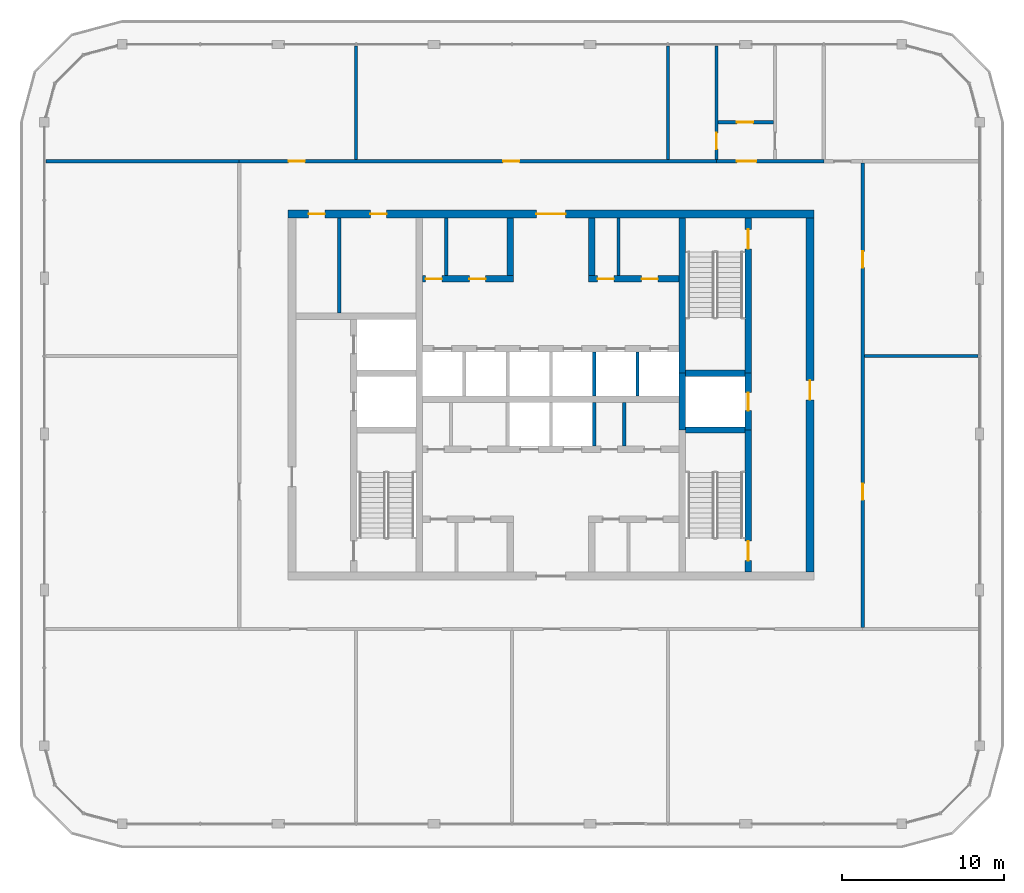
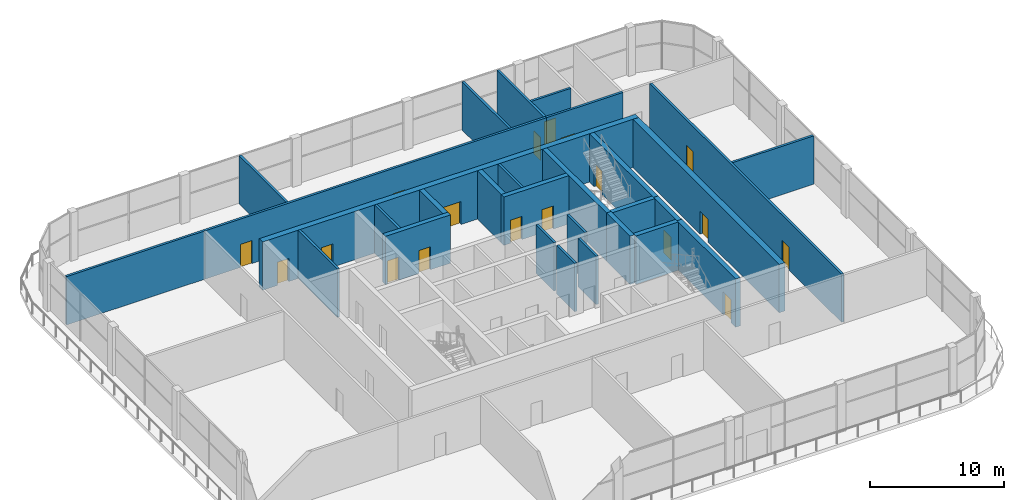
# One storey, part 11 of 15: 29 walls, 18 doors, 18 openings.
"""IFC4 building model written with IfcOpenShell, lengths in metres."""

from ifc_helpers import new_model, si_unit, direction, frame, frame_2d, origin, place, context, subcontext, project, spatial, rectangle, extrude, material, layer, layer_set, type_object, element, fill, save


model = new_model("IFC4")

# Units and contexts
model_context = context("Model", 3, precision=1e-05, world=origin(), true_north=direction((0.0, 1.0)))
body_context = subcontext(model_context, "Body", "Model", "MODEL_VIEW")
ifc_project = project(units=[si_unit("LENGTHUNIT", "METRE"), si_unit("AREAUNIT", "SQUARE_METRE"), si_unit("VOLUMEUNIT", "CUBIC_METRE"), si_unit("PLANEANGLEUNIT", "RADIAN"), si_unit("MASSUNIT", "GRAM", prefix="KILO")], contexts=[model_context])

# Site, building, storey
site_placement = place(None, origin())
site = spatial("IfcSite", under=ifc_project, at=site_placement, CompositionType="ELEMENT")
building_placement = place(site_placement, origin())
building = spatial("IfcBuilding", under=site, at=building_placement, Name="Madar Terraces", CompositionType="ELEMENT")
storey_placement = place(building_placement, frame((0.0, 0.0, 291.5)))
storey = spatial("IfcBuildingStorey", under=building, at=storey_placement, Name="L76", CompositionType="ELEMENT", Elevation=291.5)

# Walls
ifc_material_1 = material(Name="Concrete C50/60", Category="concrete")
ifc_layer_1 = layer(ifc_material_1, 0.39990234375)
ifc_layer_set_1 = layer_set([ifc_layer_1], Name="Concrete C50/60 (CIW6 RC wall 400)")
wall_type_1 = type_object("IfcWallType", Name="CIW6 RC wall 400", PredefinedType="SHEAR", material=ifc_layer_set_1)
wall_1_placement = place(storey_placement, frame((39.300048828125, 24.25, 0.0), z_axis=(0.0, 0.0, 1.0), x_axis=(0.0, 1.0, 0.0)))
element("IfcWall", 1, at=wall_1_placement, inside=storey, type_object=wall_type_1, Name="CORE SHAFT WALL", PredefinedType="SHEAR", context=body_context, shape_type="SweptSolid", body=[
    extrude(rectangle(XDim=3.5, YDim=0.39990234375, at=frame_2d((1.75, 0.0))), origin(), (0.0, 0.0, 1.0), 4.39990234375),
])
wall_2_placement = place(storey_placement, frame((39.300048828125, 27.75, 0.0), z_axis=(0.0, 0.0, 1.0), x_axis=(0.0, 1.0, 0.0)))
element("IfcWall", 2, at=wall_2_placement, inside=storey, type_object=wall_type_1, Name="CORE SHAFT WALL", PredefinedType="SHEAR", context=body_context, shape_type="SweptSolid", body=[
    extrude(rectangle(XDim=9.550048828125, YDim=0.39990234375, at=frame_2d((4.77490234375, 0.0))), origin(), (0.0, 0.0, 1.0), 4.39990234375),
])

# Wall, opening, door
wall_3_placement = place(storey_placement, frame((43.35009765625, 15.5, 0.0), z_axis=(0.0, 0.0, 1.0), x_axis=(0.0, 1.0, 0.0)))
wall_3 = element("IfcWall", 3, at=wall_3_placement, inside=storey, type_object=wall_type_1, Name="CORE SHAFT WALL", PredefinedType="SHEAR", context=body_context, shape_type="SweptSolid", body=[
    extrude(rectangle(XDim=8.75, YDim=0.39990234375, at=frame_2d((4.375, 0.0))), origin(), (0.0, 0.0, 1.0), 4.39990234375),
])
opening_1_placement = place(wall_3_placement, frame((0.699951171875, 0.0, 0.0)))
opening_1 = element("IfcOpeningElement", 4, at=opening_1_placement, cuts=wall_3, Name="Opening SD1", PredefinedType="OPENING", context=body_context, shape_type="SweptSolid", body=[
    extrude(rectangle(XDim=1.199951171875, YDim=2.10009765625, at=frame_2d((0.60009765625, 1.050048828125))), frame((0.0, 0.2099609375, 0.0), z_axis=(0.0, -1.0, 0.0), x_axis=(1.0, 0.0, 0.0)), (0.0, 0.0, 1.0), 0.419921875),
])
ifc_material_2 = material(Name="Steel door leaf", Category="steel")
door_type_1 = type_object("IfcDoorType", Name="Stair door 1200 x 2100", OperationType="NOTDEFINED", PredefinedType="DOOR", material=ifc_material_2)
door_1_placement = place(opening_1_placement, origin())
door_1 = element("IfcDoor", 5, at=door_1_placement, inside=storey, type_object=door_type_1, Name="STAIR DOOR", OperationType="SINGLE_SWING_LEFT", OverallHeight=2.10009765625, OverallWidth=1.199951171875, PredefinedType="DOOR", context=body_context, shape_type="SweptSolid", body=[
    extrude(rectangle(XDim=1.199951171875, YDim=2.10009765625, at=frame_2d((0.60009765625, 1.050048828125))), frame((0.0, 0.02490234375, 0.0), z_axis=(0.0, -1.0, 0.0), x_axis=(1.0, 0.0, 0.0)), (0.0, 0.0, 1.0), 0.050048828125),
])
fill(opening_1, door_1)

wall_4_placement = place(storey_placement, frame((43.35009765625, 24.25, 0.0), z_axis=(0.0, 0.0, 1.0), x_axis=(0.0, 1.0, 0.0)))
wall_4 = element("IfcWall", 6, at=wall_4_placement, inside=storey, type_object=wall_type_1, Name="CORE SHAFT WALL", PredefinedType="SHEAR", context=body_context, shape_type="SweptSolid", body=[
    extrude(rectangle(XDim=3.5, YDim=0.39990234375, at=frame_2d((1.75, 0.0))), origin(), (0.0, 0.0, 1.0), 4.39990234375),
])
opening_2_placement = place(wall_4_placement, frame((1.199951171875, 0.0, 0.0)))
opening_2 = element("IfcOpeningElement", 7, at=opening_2_placement, cuts=wall_4, Name="Opening LD", PredefinedType="OPENING", context=body_context, shape_type="SweptSolid", body=[
    extrude(rectangle(XDim=1.10009765625, YDim=2.10009765625, at=frame_2d((0.550048828125, 1.050048828125))), frame((0.0, 0.2099609375, 0.0), z_axis=(0.0, -1.0, 0.0), x_axis=(1.0, 0.0, 0.0)), (0.0, 0.0, 1.0), 0.419921875),
])
ifc_material_3 = material(Name="Stainless steel panel", Category="steel")
door_type_2 = type_object("IfcDoorType", Name="Lift landing door 1100 x 2100", OperationType="DOUBLE_DOOR_SLIDING", PredefinedType="DOOR", material=ifc_material_3)
door_2_placement = place(opening_2_placement, origin())
door_2 = element("IfcDoor", 8, at=door_2_placement, inside=storey, type_object=door_type_2, Name="LIFT LANDING DOOR", OperationType="DOUBLE_DOOR_SLIDING", OverallHeight=2.10009765625, OverallWidth=1.10009765625, PredefinedType="DOOR", context=body_context, shape_type="SweptSolid", body=[
    extrude(rectangle(XDim=1.10009765625, YDim=2.10009765625, at=frame_2d((0.550048828125, 1.050048828125))), frame((0.0, 0.02490234375, 0.0), z_axis=(0.0, -1.0, 0.0), x_axis=(1.0, 0.0, 0.0)), (0.0, 0.0, 1.0), 0.050048828125),
])
fill(opening_2, door_2)

wall_5_placement = place(storey_placement, frame((43.35009765625, 27.75, 0.0), z_axis=(0.0, 0.0, 1.0), x_axis=(0.0, 1.0, 0.0)))
wall_5 = element("IfcWall", 9, at=wall_5_placement, inside=storey, type_object=wall_type_1, Name="CORE SHAFT WALL", PredefinedType="SHEAR", context=body_context, shape_type="SweptSolid", body=[
    extrude(rectangle(XDim=9.550048828125, YDim=0.39990234375, at=frame_2d((4.77490234375, 0.0))), origin(), (0.0, 0.0, 1.0), 4.39990234375),
])
opening_3_placement = place(wall_5_placement, frame((7.64990234375, 0.0, 0.0)))
opening_3 = element("IfcOpeningElement", 10, at=opening_3_placement, cuts=wall_5, Name="Opening SD1", PredefinedType="OPENING", context=body_context, shape_type="SweptSolid", body=[
    extrude(rectangle(XDim=1.199951171875, YDim=2.10009765625, at=frame_2d((0.60009765625, 1.050048828125))), frame((0.0, 0.2099609375, 0.0), z_axis=(0.0, -1.0, 0.0), x_axis=(1.0, 0.0, 0.0)), (0.0, 0.0, 1.0), 0.419921875),
])
door_3_placement = place(opening_3_placement, origin())
door_3 = element("IfcDoor", 11, at=door_3_placement, inside=storey, type_object=door_type_1, Name="STAIR DOOR", OperationType="SINGLE_SWING_RIGHT", OverallHeight=2.10009765625, OverallWidth=1.199951171875, PredefinedType="DOOR", context=body_context, shape_type="SweptSolid", body=[
    extrude(rectangle(XDim=1.199951171875, YDim=2.10009765625, at=frame_2d((0.60009765625, 1.050048828125))), frame((0.0, 0.02490234375, 0.0), z_axis=(0.0, -1.0, 0.0), x_axis=(1.0, 0.0, 0.0)), (0.0, 0.0, 1.0), 0.050048828125),
])
fill(opening_3, door_3)

# Walls
for number, where, z_axis, x_axis, name in (
    (12, (39.5, 24.25, 0.0), (0.0, 0.0, 1.0), (1.0, 0.0, 0.0), "CORE SHAFT WALL"),
    (13, (39.5, 27.75, 0.0), (0.0, 0.0, 1.0), (1.0, 0.0, 0.0), "CORE SHAFT WALL"),
):
    element("IfcWall", number, at=place(storey_placement, frame(where, z_axis=z_axis, x_axis=x_axis)), inside=storey, type_object=wall_type_1, Name=name, PredefinedType="SHEAR", context=body_context, shape_type="SweptSolid", body=[
        extrude(rectangle(XDim=3.64990234375, YDim=0.39990234375, at=frame_2d((1.824951171875, 0.0))), origin(), (0.0, 0.0, 1.0), 4.39990234375),
    ])

# Wall, openings, doors
wall_6_placement = place(storey_placement, frame((23.300048828125, 33.550048828125, 0.0), z_axis=(0.0, 0.0, 1.0), x_axis=(1.0, 0.0, 0.0)))
wall_6 = element("IfcWall", 14, at=wall_6_placement, inside=storey, type_object=wall_type_1, Name="CORE SHAFT WALL", PredefinedType="SHEAR", context=body_context, shape_type="SweptSolid", body=[
    extrude(rectangle(XDim=5.599853515625, YDim=0.39990234375, at=frame_2d((2.7998046875, 0.0))), origin(), (0.0, 0.0, 1.0), 4.39990234375),
])
opening_4_placement = place(wall_6_placement, frame((0.177978515625, 0.0, 0.0)))
opening_4 = element("IfcOpeningElement", 15, at=opening_4_placement, cuts=wall_6, Name="Opening KD2", PredefinedType="OPENING", context=body_context, shape_type="SweptSolid", body=[
    extrude(rectangle(XDim=1.0, YDim=2.10009765625, at=frame_2d((0.5, 1.050048828125))), frame((0.0, 0.2099609375, 0.0), z_axis=(0.0, -1.0, 0.0), x_axis=(1.0, 0.0, 0.0)), (0.0, 0.0, 1.0), 0.419921875),
])
opening_5_placement = place(wall_6_placement, frame((2.8779296875, 0.0, 0.0)))
opening_5 = element("IfcOpeningElement", 16, at=opening_5_placement, cuts=wall_6, Name="Opening KD2", PredefinedType="OPENING", context=body_context, shape_type="SweptSolid", body=[
    extrude(rectangle(XDim=1.0, YDim=2.10009765625, at=frame_2d((0.5, 1.050048828125))), frame((0.0, 0.2099609375, 0.0), z_axis=(0.0, -1.0, 0.0), x_axis=(1.0, 0.0, 0.0)), (0.0, 0.0, 1.0), 0.419921875),
])
ifc_material_4 = material(Name="Steel door leaf", Category="steel")
door_type_3 = type_object("IfcDoorType", Name="Service room door 1000 x 2100", OperationType="NOTDEFINED", PredefinedType="DOOR", material=ifc_material_4)
door_4_placement = place(opening_4_placement, frame((1.0, 0.0, 0.0), z_axis=(0.0, 0.0, 1.0), x_axis=(-1.0, 0.0, 0.0)))
door_4 = element("IfcDoor", 17, at=door_4_placement, inside=storey, type_object=door_type_3, Name="SERVICE ROOM DOOR", OperationType="SINGLE_SWING_LEFT", OverallHeight=2.10009765625, OverallWidth=1.0, PredefinedType="DOOR", context=body_context, shape_type="SweptSolid", body=[
    extrude(rectangle(XDim=1.0, YDim=2.10009765625, at=frame_2d((0.5, 1.050048828125))), frame((0.0, 0.02490234375, 0.0), z_axis=(0.0, -1.0, 0.0), x_axis=(1.0, 0.0, 0.0)), (0.0, 0.0, 1.0), 0.050048828125),
])
fill(opening_4, door_4)
door_5_placement = place(opening_5_placement, frame((1.0, 0.0, 0.0), z_axis=(0.0, 0.0, 1.0), x_axis=(-1.0, 0.0, 0.0)))
door_5 = element("IfcDoor", 18, at=door_5_placement, inside=storey, type_object=door_type_3, Name="SERVICE ROOM DOOR", OperationType="SINGLE_SWING_RIGHT", OverallHeight=2.10009765625, OverallWidth=1.0, PredefinedType="DOOR", context=body_context, shape_type="SweptSolid", body=[
    extrude(rectangle(XDim=1.0, YDim=2.10009765625, at=frame_2d((0.5, 1.050048828125))), frame((0.0, 0.02490234375, 0.0), z_axis=(0.0, -1.0, 0.0), x_axis=(1.0, 0.0, 0.0)), (0.0, 0.0, 1.0), 0.050048828125),
])
fill(opening_5, door_5)

wall_7_placement = place(storey_placement, frame((33.5, 33.550048828125, 0.0), z_axis=(0.0, 0.0, 1.0), x_axis=(1.0, 0.0, 0.0)))
wall_7 = element("IfcWall", 19, at=wall_7_placement, inside=storey, type_object=wall_type_1, Name="CORE SHAFT WALL", PredefinedType="SHEAR", context=body_context, shape_type="SweptSolid", body=[
    extrude(rectangle(XDim=5.60009765625, YDim=0.39990234375, at=frame_2d((2.800048828125, 0.0))), origin(), (0.0, 0.0, 1.0), 4.39990234375),
])
opening_6_placement = place(wall_7_placement, frame((0.577880859375, 0.0, 0.0)))
opening_6 = element("IfcOpeningElement", 20, at=opening_6_placement, cuts=wall_7, Name="Opening KD2", PredefinedType="OPENING", context=body_context, shape_type="SweptSolid", body=[
    extrude(rectangle(XDim=1.0, YDim=2.10009765625, at=frame_2d((0.5, 1.050048828125))), frame((0.0, 0.2099609375, 0.0), z_axis=(0.0, -1.0, 0.0), x_axis=(1.0, 0.0, 0.0)), (0.0, 0.0, 1.0), 0.419921875),
])
opening_7_placement = place(wall_7_placement, frame((3.278076171875, 0.0, 0.0)))
opening_7 = element("IfcOpeningElement", 21, at=opening_7_placement, cuts=wall_7, Name="Opening KD2", PredefinedType="OPENING", context=body_context, shape_type="SweptSolid", body=[
    extrude(rectangle(XDim=1.0, YDim=2.10009765625, at=frame_2d((0.5, 1.050048828125))), frame((0.0, 0.2099609375, 0.0), z_axis=(0.0, -1.0, 0.0), x_axis=(1.0, 0.0, 0.0)), (0.0, 0.0, 1.0), 0.419921875),
])
door_6_placement = place(opening_6_placement, frame((1.0, 0.0, 0.0), z_axis=(0.0, 0.0, 1.0), x_axis=(-1.0, 0.0, 0.0)))
door_6 = element("IfcDoor", 22, at=door_6_placement, inside=storey, type_object=door_type_3, Name="SERVICE ROOM DOOR", OperationType="SINGLE_SWING_LEFT", OverallHeight=2.10009765625, OverallWidth=1.0, PredefinedType="DOOR", context=body_context, shape_type="SweptSolid", body=[
    extrude(rectangle(XDim=1.0, YDim=2.10009765625, at=frame_2d((0.5, 1.050048828125))), frame((0.0, 0.02490234375, 0.0), z_axis=(0.0, -1.0, 0.0), x_axis=(1.0, 0.0, 0.0)), (0.0, 0.0, 1.0), 0.050048828125),
])
fill(opening_6, door_6)
door_7_placement = place(opening_7_placement, frame((1.0, 0.0, 0.0), z_axis=(0.0, 0.0, 1.0), x_axis=(-1.0, 0.0, 0.0)))
door_7 = element("IfcDoor", 23, at=door_7_placement, inside=storey, type_object=door_type_3, Name="SERVICE ROOM DOOR", OperationType="SINGLE_SWING_RIGHT", OverallHeight=2.10009765625, OverallWidth=1.0, PredefinedType="DOOR", context=body_context, shape_type="SweptSolid", body=[
    extrude(rectangle(XDim=1.0, YDim=2.10009765625, at=frame_2d((0.5, 1.050048828125))), frame((0.0, 0.02490234375, 0.0), z_axis=(0.0, -1.0, 0.0), x_axis=(1.0, 0.0, 0.0)), (0.0, 0.0, 1.0), 0.050048828125),
])
fill(opening_7, door_7)

# Walls
for number, where, z_axis, x_axis, name in (
    (24, (28.699951171875, 33.75, 0.0), (0.0, 0.0, 1.0), (0.0, 1.0, 0.0), "CORE SHAFT WALL"),
    (25, (33.699951171875, 33.75, 0.0), (0.0, 0.0, 1.0), (0.0, 1.0, 0.0), "CORE SHAFT WALL"),
):
    element("IfcWall", number, at=place(storey_placement, frame(where, z_axis=z_axis, x_axis=x_axis)), inside=storey, type_object=wall_type_1, Name=name, PredefinedType="SHEAR", context=body_context, shape_type="SweptSolid", body=[
        extrude(rectangle(XDim=3.550048828125, YDim=0.39990234375, at=frame_2d((1.77490234375, 0.0))), origin(), (0.0, 0.0, 1.0), 4.39990234375),
    ])

# Wall, openings, doors
ifc_material_5 = material(Name="Concrete C50/60", Category="concrete")
ifc_layer_2 = layer(ifc_material_5, 0.5)
ifc_layer_set_2 = layer_set([ifc_layer_2], Name="Concrete C50/60 (CRW6 RC wall 500)")
wall_type_2 = type_object("IfcWallType", Name="CRW6 RC wall 500", PredefinedType="SHEAR", material=ifc_layer_set_2)
wall_8_placement = place(storey_placement, frame((15.0, 37.550048828125, 0.0), z_axis=(0.0, 0.0, 1.0), x_axis=(1.0, 0.0, 0.0)))
wall_8 = element("IfcWall", 26, at=wall_8_placement, inside=storey, type_object=wall_type_2, Name="CORE OUTER WALL", PredefinedType="SHEAR", context=body_context, shape_type="SweptSolid", body=[
    extrude(rectangle(XDim=32.39990234375, YDim=0.5, at=frame_2d((16.199951171875, 0.0))), origin(), (0.0, 0.0, 1.0), 4.39990234375),
])
opening_8_placement = place(wall_8_placement, frame((15.300048828125, 0.0, 0.0)))
opening_8 = element("IfcOpeningElement", 27, at=opening_8_placement, cuts=wall_8, Name="Opening KD1", PredefinedType="OPENING", context=body_context, shape_type="SweptSolid", body=[
    extrude(rectangle(XDim=1.800048828125, YDim=2.10009765625, at=frame_2d((0.89990234375, 1.050048828125))), frame((0.0, 0.260009765625, 0.0), z_axis=(0.0, -1.0, 0.0), x_axis=(1.0, 0.0, 0.0)), (0.0, 0.0, 1.0), 0.52001953125),
])
opening_9_placement = place(wall_8_placement, frame((1.281982421875, 0.0, 0.0)))
opening_9 = element("IfcOpeningElement", 28, at=opening_9_placement, cuts=wall_8, Name="Opening KD2", PredefinedType="OPENING", context=body_context, shape_type="SweptSolid", body=[
    extrude(rectangle(XDim=1.0, YDim=2.10009765625, at=frame_2d((0.5, 1.050048828125))), frame((0.0, 0.260009765625, 0.0), z_axis=(0.0, -1.0, 0.0), x_axis=(1.0, 0.0, 0.0)), (0.0, 0.0, 1.0), 0.52001953125),
])
opening_10_placement = place(wall_8_placement, frame((5.08203125, 0.0, 0.0)))
opening_10 = element("IfcOpeningElement", 29, at=opening_10_placement, cuts=wall_8, Name="Opening KD2", PredefinedType="OPENING", context=body_context, shape_type="SweptSolid", body=[
    extrude(rectangle(XDim=1.0, YDim=2.10009765625, at=frame_2d((0.5, 1.050048828125))), frame((0.0, 0.260009765625, 0.0), z_axis=(0.0, -1.0, 0.0), x_axis=(1.0, 0.0, 0.0)), (0.0, 0.0, 1.0), 0.52001953125),
])
ifc_material_6 = material(Name="Steel door leaf", Category="steel")
door_type_4 = type_object("IfcDoorType", Name="Lobby door pair 1800 x 2100", OperationType="DOUBLE_DOOR_SINGLE_SWING", PredefinedType="DOOR", material=ifc_material_6)
door_8_placement = place(opening_8_placement, origin())
door_8 = element("IfcDoor", 30, at=door_8_placement, inside=storey, type_object=door_type_4, Name="LIFT LOBBY DOOR", OperationType="DOUBLE_DOOR_SINGLE_SWING", OverallHeight=2.10009765625, OverallWidth=1.800048828125, PredefinedType="DOOR", context=body_context, shape_type="SweptSolid", body=[
    extrude(rectangle(XDim=1.800048828125, YDim=2.10009765625, at=frame_2d((0.89990234375, 1.050048828125))), frame((0.0, 0.02490234375, 0.0), z_axis=(0.0, -1.0, 0.0), x_axis=(1.0, 0.0, 0.0)), (0.0, 0.0, 1.0), 0.050048828125),
])
fill(opening_8, door_8)
door_9_placement = place(opening_9_placement, origin())
door_9 = element("IfcDoor", 31, at=door_9_placement, inside=storey, type_object=door_type_3, Name="SERVICE ROOM DOOR", OperationType="SINGLE_SWING_LEFT", OverallHeight=2.10009765625, OverallWidth=1.0, PredefinedType="DOOR", context=body_context, shape_type="SweptSolid", body=[
    extrude(rectangle(XDim=1.0, YDim=2.10009765625, at=frame_2d((0.5, 1.050048828125))), frame((0.0, 0.02490234375, 0.0), z_axis=(0.0, -1.0, 0.0), x_axis=(1.0, 0.0, 0.0)), (0.0, 0.0, 1.0), 0.050048828125),
])
fill(opening_9, door_9)
door_10_placement = place(opening_10_placement, origin())
door_10 = element("IfcDoor", 32, at=door_10_placement, inside=storey, type_object=door_type_3, Name="SERVICE ROOM DOOR", OperationType="SINGLE_SWING_RIGHT", OverallHeight=2.10009765625, OverallWidth=1.0, PredefinedType="DOOR", context=body_context, shape_type="SweptSolid", body=[
    extrude(rectangle(XDim=1.0, YDim=2.10009765625, at=frame_2d((0.5, 1.050048828125))), frame((0.0, 0.02490234375, 0.0), z_axis=(0.0, -1.0, 0.0), x_axis=(1.0, 0.0, 0.0)), (0.0, 0.0, 1.0), 0.050048828125),
])
fill(opening_10, door_10)

# Wall, opening, door
wall_9_placement = place(storey_placement, frame((47.14990234375, 15.5, 0.0), z_axis=(0.0, 0.0, 1.0), x_axis=(0.0, 1.0, 0.0)))
wall_9 = element("IfcWall", 33, at=wall_9_placement, inside=storey, type_object=wall_type_2, Name="CORE OUTER WALL", PredefinedType="SHEAR", context=body_context, shape_type="SweptSolid", body=[
    extrude(rectangle(XDim=21.800048828125, YDim=0.5, at=frame_2d((10.89990234375, 0.0))), origin(), (0.0, 0.0, 1.0), 4.39990234375),
])
opening_11_placement = place(wall_9_placement, frame((10.60009765625, 0.0, 0.0)))
opening_11 = element("IfcOpeningElement", 34, at=opening_11_placement, cuts=wall_9, Name="Opening SD1", PredefinedType="OPENING", context=body_context, shape_type="SweptSolid", body=[
    extrude(rectangle(XDim=1.199951171875, YDim=2.10009765625, at=frame_2d((0.60009765625, 1.050048828125))), frame((0.0, 0.260009765625, 0.0), z_axis=(0.0, -1.0, 0.0), x_axis=(1.0, 0.0, 0.0)), (0.0, 0.0, 1.0), 0.52001953125),
])
door_11_placement = place(opening_11_placement, origin())
door_11 = element("IfcDoor", 35, at=door_11_placement, inside=storey, type_object=door_type_1, Name="STAIR DOOR", OperationType="SINGLE_SWING_RIGHT", OverallHeight=2.10009765625, OverallWidth=1.199951171875, PredefinedType="DOOR", context=body_context, shape_type="SweptSolid", body=[
    extrude(rectangle(XDim=1.199951171875, YDim=2.10009765625, at=frame_2d((0.60009765625, 1.050048828125))), frame((0.0, 0.02490234375, 0.0), z_axis=(0.0, -1.0, 0.0), x_axis=(1.0, 0.0, 0.0)), (0.0, 0.0, 1.0), 0.050048828125),
])
fill(opening_11, door_11)

# Walls
ifc_material_7 = material(Name="Masonry blockwork", Category="masonry")
ifc_layer_3 = layer(ifc_material_7, 0.199951171875)
ifc_layer_set_3 = layer_set([ifc_layer_3], Name="Core partition 200 blockwork")
wall_type_3 = type_object("IfcWallType", Name="Core partition 200 blockwork", PredefinedType="PARTITIONING", material=ifc_layer_set_3)
wall_10_placement = place(storey_placement, frame((18.1640625, 31.449951171875, 0.0), z_axis=(0.0, 0.0, 1.0), x_axis=(0.0, 1.0, 0.0)))
element("IfcWall", 36, at=wall_10_placement, inside=storey, type_object=wall_type_3, Name="SERVICE ROOM PARTITION", PredefinedType="PARTITIONING", context=body_context, shape_type="SweptSolid", body=[
    extrude(rectangle(XDim=5.85009765625, YDim=0.199951171875, at=frame_2d((2.925048828125, 0.0))), origin(), (0.0, 0.0, 1.0), 4.39990234375),
])
wall_11_placement = place(storey_placement, frame((35.7119140625, 23.25, 0.0), z_axis=(0.0, 0.0, 1.0), x_axis=(0.0, 1.0, 0.0)))
element("IfcWall", 37, at=wall_11_placement, inside=storey, type_object=wall_type_3, Name="SERVICE ROOM PARTITION", PredefinedType="PARTITIONING", context=body_context, shape_type="SweptSolid", body=[
    extrude(rectangle(XDim=2.699951171875, YDim=0.199951171875, at=frame_2d((1.35009765625, 0.0))), origin(), (0.0, 0.0, 1.0), 4.39990234375),
])
for number, where, z_axis, x_axis, name in (
    (38, (24.756103515625, 33.75, 0.0), (0.0, 0.0, 1.0), (0.0, 1.0, 0.0), "SERVICE ROOM PARTITION"),
    (39, (35.35595703125, 33.75, 0.0), (0.0, 0.0, 1.0), (0.0, 1.0, 0.0), "SERVICE ROOM PARTITION"),
):
    element("IfcWall", number, at=place(storey_placement, frame(where, z_axis=z_axis, x_axis=x_axis)), inside=storey, type_object=wall_type_3, Name=name, PredefinedType="PARTITIONING", context=body_context, shape_type="SweptSolid", body=[
        extrude(rectangle(XDim=3.550048828125, YDim=0.199951171875, at=frame_2d((1.77490234375, 0.0))), origin(), (0.0, 0.0, 1.0), 4.39990234375),
    ])
ifc_material_8 = material(Name="Concrete C40/50", Category="concrete")
ifc_layer_4 = layer(ifc_material_8, 0.199951171875)
ifc_layer_set_4 = layer_set([ifc_layer_4], Name="Core shaft dividing wall 200 C40/50")
wall_type_4 = type_object("IfcWallType", Name="Core shaft dividing wall 200 C40/50", PredefinedType="SOLIDWALL", material=ifc_layer_set_4)
for number, where, z_axis, x_axis, name in (
    (40, (33.86669921875, 23.25, 0.0), (0.0, 0.0, 1.0), (0.0, 1.0, 0.0), "SHAFT DIVIDING WALL"),
    (41, (33.86669921875, 26.35009765625, 0.0), (0.0, 0.0, 1.0), (0.0, 1.0, 0.0), "SHAFT DIVIDING WALL"),
    (42, (36.533447265625, 26.35009765625, 0.0), (0.0, 0.0, 1.0), (0.0, 1.0, 0.0), "SHAFT DIVIDING WALL"),
):
    element("IfcWall", number, at=place(storey_placement, frame(where, z_axis=z_axis, x_axis=x_axis)), inside=storey, type_object=wall_type_4, Name=name, PredefinedType="SOLIDWALL", context=body_context, shape_type="SweptSolid", body=[
        extrude(rectangle(XDim=2.699951171875, YDim=0.199951171875, at=frame_2d((1.35009765625, 0.0))), origin(), (0.0, 0.0, 1.0), 4.39990234375),
    ])
ifc_material_9 = material(Name="Gypsum board partition, fire-rated")
ifc_layer_5 = layer(ifc_material_9, 0.199951171875)
ifc_layer_set_5 = layer_set([ifc_layer_5], Name="Partition 200 EI 60")
wall_type_5 = type_object("IfcWallType", Name="Partition 200 EI 60", PredefinedType="PARTITIONING", material=ifc_layer_set_5)
wall_12_placement = place(storey_placement, frame((50.5, 28.800048828125, 0.0), z_axis=(0.0, 0.0, 1.0), x_axis=(1.0, 0.0, 0.0)))
element("IfcWall", 43, at=wall_12_placement, inside=storey, type_object=wall_type_5, Name="Wall OUTLOOK ROOM / TEA KITCHEN", PredefinedType="PARTITIONING", context=body_context, shape_type="SweptSolid", body=[
    extrude(rectangle(XDim=7.0, YDim=0.199951171875, at=frame_2d((3.5, 0.0))), origin(), (0.0, 0.0, 1.0), 4.39990234375),
])
wall_13_placement = place(storey_placement, frame((0.10009765625, 40.800048828125, 0.0), z_axis=(0.0, 0.0, 1.0), x_axis=(1.0, 0.0, 0.0)))
element("IfcWall", 44, at=wall_13_placement, inside=storey, type_object=wall_type_5, Name="Wall OUTLOOK ROOM / OUTLOOK ROOM", PredefinedType="PARTITIONING", context=body_context, shape_type="SweptSolid", body=[
    extrude(rectangle(XDim=11.89990234375, YDim=0.199951171875, at=frame_2d((5.949951171875, 0.0))), origin(), (0.0, 0.0, 1.0), 4.39990234375),
])

# Wall, openings, doors
wall_14_placement = place(storey_placement, frame((12.0, 40.800048828125, 0.0), z_axis=(0.0, 0.0, 1.0), x_axis=(1.0, 0.0, 0.0)))
wall_14 = element("IfcWall", 45, at=wall_14_placement, inside=storey, type_object=wall_type_5, Name="Wall OUTLOOK ROOM + WC MEN", PredefinedType="PARTITIONING", context=body_context, shape_type="SweptSolid", body=[
    extrude(rectangle(XDim=29.39990234375, YDim=0.199951171875, at=frame_2d((14.699951171875, 0.0))), origin(), (0.0, 0.0, 1.0), 4.39990234375),
])
opening_12_placement = place(wall_14_placement, frame((3.050048828125, 0.0, 0.0)))
opening_12 = element("IfcOpeningElement", 46, at=opening_12_placement, cuts=wall_14, Name="Opening D31", PredefinedType="OPENING", context=body_context, shape_type="SweptSolid", body=[
    extrude(rectangle(XDim=1.0, YDim=2.10009765625, at=frame_2d((0.5, 1.050048828125))), frame((0.0, 0.10986328125, 0.0), z_axis=(0.0, -1.0, 0.0), x_axis=(1.0, 0.0, 0.0)), (0.0, 0.0, 1.0), 0.219970703125),
])
opening_13_placement = place(wall_14_placement, frame((16.25, 0.0, 0.0)))
opening_13 = element("IfcOpeningElement", 47, at=opening_13_placement, cuts=wall_14, Name="Opening D31", PredefinedType="OPENING", context=body_context, shape_type="SweptSolid", body=[
    extrude(rectangle(XDim=1.0, YDim=2.10009765625, at=frame_2d((0.5, 1.050048828125))), frame((0.0, 0.10986328125, 0.0), z_axis=(0.0, -1.0, 0.0), x_axis=(1.0, 0.0, 0.0)), (0.0, 0.0, 1.0), 0.219970703125),
])
ifc_material_10 = material(Name="Timber door leaf, fire-rated", Category="wood")
door_type_5 = type_object("IfcDoorType", Name="Podium door 1000 x 2100 FD30S", OperationType="NOTDEFINED", PredefinedType="DOOR", material=ifc_material_10)
door_12_placement = place(opening_12_placement, origin())
door_12 = element("IfcDoor", 48, at=door_12_placement, inside=storey, type_object=door_type_5, Name="Door OUTLOOK ROOM / RING CORRIDOR", OperationType="SINGLE_SWING_LEFT", OverallHeight=2.10009765625, OverallWidth=1.0, PredefinedType="DOOR", context=body_context, shape_type="SweptSolid", body=[
    extrude(rectangle(XDim=1.0, YDim=2.10009765625, at=frame_2d((0.5, 1.050048828125))), frame((0.0, 0.02490234375, 0.0), z_axis=(0.0, -1.0, 0.0), x_axis=(1.0, 0.0, 0.0)), (0.0, 0.0, 1.0), 0.050048828125),
])
fill(opening_12, door_12)
door_13_placement = place(opening_13_placement, origin())
door_13 = element("IfcDoor", 49, at=door_13_placement, inside=storey, type_object=door_type_5, Name="Door OUTLOOK ROOM / RING CORRIDOR", OperationType="SINGLE_SWING_LEFT", OverallHeight=2.10009765625, OverallWidth=1.0, PredefinedType="DOOR", context=body_context, shape_type="SweptSolid", body=[
    extrude(rectangle(XDim=1.0, YDim=2.10009765625, at=frame_2d((0.5, 1.050048828125))), frame((0.0, 0.02490234375, 0.0), z_axis=(0.0, -1.0, 0.0), x_axis=(1.0, 0.0, 0.0)), (0.0, 0.0, 1.0), 0.050048828125),
])
fill(opening_13, door_13)

# Wall, opening, door
wall_15_placement = place(storey_placement, frame((48.0, 40.800048828125, 0.0), z_axis=(0.0, 0.0, 1.0), x_axis=(-1.0, 0.0, 0.0)))
wall_15 = element("IfcWall", 50, at=wall_15_placement, inside=storey, type_object=wall_type_5, Name="Wall WC LOBBY + WC WOMEN", PredefinedType="PARTITIONING", context=body_context, shape_type="SweptSolid", body=[
    extrude(rectangle(XDim=6.60009765625, YDim=0.199951171875, at=frame_2d((3.300048828125, 0.0))), origin(), (0.0, 0.0, 1.0), 4.39990234375),
])
opening_14_placement = place(wall_15_placement, frame((4.14990234375, 0.0, 0.0)))
opening_14 = element("IfcOpeningElement", 51, at=opening_14_placement, cuts=wall_15, Name="Opening D32", PredefinedType="OPENING", context=body_context, shape_type="SweptSolid", body=[
    extrude(rectangle(XDim=1.199951171875, YDim=2.10009765625, at=frame_2d((0.60009765625, 1.050048828125))), frame((0.0, 0.10986328125, 0.0), z_axis=(0.0, -1.0, 0.0), x_axis=(1.0, 0.0, 0.0)), (0.0, 0.0, 1.0), 0.219970703125),
])
ifc_material_11 = material(Name="Timber door leaf, fire-rated", Category="wood")
door_type_6 = type_object("IfcDoorType", Name="Podium door 1200 x 2100 FD30S", OperationType="NOTDEFINED", PredefinedType="DOOR", material=ifc_material_11)
door_14_placement = place(opening_14_placement, origin())
door_14 = element("IfcDoor", 52, at=door_14_placement, inside=storey, type_object=door_type_6, Name="Door WC LOBBY / RING CORRIDOR", OperationType="SINGLE_SWING_LEFT", OverallHeight=2.10009765625, OverallWidth=1.199951171875, PredefinedType="DOOR", context=body_context, shape_type="SweptSolid", body=[
    extrude(rectangle(XDim=1.199951171875, YDim=2.10009765625, at=frame_2d((0.60009765625, 1.050048828125))), frame((0.0, 0.02490234375, 0.0), z_axis=(0.0, -1.0, 0.0), x_axis=(1.0, 0.0, 0.0)), (0.0, 0.0, 1.0), 0.050048828125),
])
fill(opening_14, door_14)

wall_16_placement = place(storey_placement, frame((41.5, 43.199951171875, 0.0), z_axis=(0.0, 0.0, 1.0), x_axis=(1.0, 0.0, 0.0)))
wall_16 = element("IfcWall", 53, at=wall_16_placement, inside=storey, type_object=wall_type_5, Name="Wall WC LOBBY / ACCESSIBLE WC", PredefinedType="PARTITIONING", context=body_context, shape_type="SweptSolid", body=[
    extrude(rectangle(XDim=3.39990234375, YDim=0.199951171875, at=frame_2d((1.699951171875, 0.0))), origin(), (0.0, 0.0, 1.0), 4.39990234375),
])
opening_15_placement = place(wall_16_placement, frame((1.14990234375, 0.0, 0.0)))
opening_15 = element("IfcOpeningElement", 54, at=opening_15_placement, cuts=wall_16, Name="Opening D31", PredefinedType="OPENING", context=body_context, shape_type="SweptSolid", body=[
    extrude(rectangle(XDim=1.0, YDim=2.10009765625, at=frame_2d((0.5, 1.050048828125))), frame((0.0, 0.10986328125, 0.0), z_axis=(0.0, -1.0, 0.0), x_axis=(1.0, 0.0, 0.0)), (0.0, 0.0, 1.0), 0.219970703125),
])
door_15_placement = place(opening_15_placement, origin())
door_15 = element("IfcDoor", 55, at=door_15_placement, inside=storey, type_object=door_type_5, Name="Door WC LOBBY / ACCESSIBLE WC", OperationType="SINGLE_SWING_LEFT", OverallHeight=2.10009765625, OverallWidth=1.0, PredefinedType="DOOR", context=body_context, shape_type="SweptSolid", body=[
    extrude(rectangle(XDim=1.0, YDim=2.10009765625, at=frame_2d((0.5, 1.050048828125))), frame((0.0, 0.02490234375, 0.0), z_axis=(0.0, -1.0, 0.0), x_axis=(1.0, 0.0, 0.0)), (0.0, 0.0, 1.0), 0.050048828125),
])
fill(opening_15, door_15)

# Walls
for number, where, z_axis, x_axis, name in (
    (56, (19.199951171875, 40.89990234375, 0.0), (0.0, 0.0, 1.0), (0.0, 1.0, 0.0), "Wall OUTLOOK ROOM / OUTLOOK ROOM"),
    (57, (38.39990234375, 40.89990234375, 0.0), (0.0, 0.0, 1.0), (0.0, 1.0, 0.0), "Wall OUTLOOK ROOM / WC MEN"),
):
    element("IfcWall", number, at=place(storey_placement, frame(where, z_axis=z_axis, x_axis=x_axis)), inside=storey, type_object=wall_type_5, Name=name, PredefinedType="PARTITIONING", context=body_context, shape_type="SweptSolid", body=[
        extrude(rectangle(XDim=7.0, YDim=0.199951171875, at=frame_2d((3.5, 0.0))), origin(), (0.0, 0.0, 1.0), 4.39990234375),
    ])

# Wall, opening, door
wall_17_placement = place(storey_placement, frame((41.39990234375, 40.89990234375, 0.0), z_axis=(0.0, 0.0, 1.0), x_axis=(0.0, 1.0, 0.0)))
wall_17 = element("IfcWall", 58, at=wall_17_placement, inside=storey, type_object=wall_type_5, Name="Wall WC MEN", PredefinedType="PARTITIONING", context=body_context, shape_type="SweptSolid", body=[
    extrude(rectangle(XDim=7.0, YDim=0.199951171875, at=frame_2d((3.5, 0.0))), origin(), (0.0, 0.0, 1.0), 4.39990234375),
])
opening_16_placement = place(wall_17_placement, frame((0.64990234375, 0.0, 0.0)))
opening_16 = element("IfcOpeningElement", 59, at=opening_16_placement, cuts=wall_17, Name="Opening D31", PredefinedType="OPENING", context=body_context, shape_type="SweptSolid", body=[
    extrude(rectangle(XDim=1.0, YDim=2.10009765625, at=frame_2d((0.5, 1.050048828125))), frame((0.0, 0.10986328125, 0.0), z_axis=(0.0, -1.0, 0.0), x_axis=(1.0, 0.0, 0.0)), (0.0, 0.0, 1.0), 0.219970703125),
])
door_16_placement = place(opening_16_placement, origin())
door_16 = element("IfcDoor", 60, at=door_16_placement, inside=storey, type_object=door_type_5, Name="Door WC MEN / WC LOBBY", OperationType="SINGLE_SWING_LEFT", OverallHeight=2.10009765625, OverallWidth=1.0, PredefinedType="DOOR", context=body_context, shape_type="SweptSolid", body=[
    extrude(rectangle(XDim=1.0, YDim=2.10009765625, at=frame_2d((0.5, 1.050048828125))), frame((0.0, 0.02490234375, 0.0), z_axis=(0.0, -1.0, 0.0), x_axis=(1.0, 0.0, 0.0)), (0.0, 0.0, 1.0), 0.050048828125),
])
fill(opening_16, door_16)

# Wall, openings, doors
wall_18_placement = place(storey_placement, frame((50.39990234375, 40.699951171875, 0.0), z_axis=(0.0, 0.0, 1.0), x_axis=(0.0, -1.0, 0.0)))
wall_18 = element("IfcWall", 61, at=wall_18_placement, inside=storey, type_object=wall_type_5, Name="Wall OUTLOOK ROOM + TEA KITCHEN", PredefinedType="PARTITIONING", context=body_context, shape_type="SweptSolid", body=[
    extrude(rectangle(XDim=28.599853515625, YDim=0.199951171875, at=frame_2d((14.2998046875, 0.0))), origin(), (0.0, 0.0, 1.0), 4.39990234375),
])
opening_17_placement = place(wall_18_placement, frame((19.75, 0.0, 0.0)))
opening_17 = element("IfcOpeningElement", 62, at=opening_17_placement, cuts=wall_18, Name="Opening D31", PredefinedType="OPENING", context=body_context, shape_type="SweptSolid", body=[
    extrude(rectangle(XDim=1.0, YDim=2.10009765625, at=frame_2d((0.5, 1.050048828125))), frame((0.0, 0.10986328125, 0.0), z_axis=(0.0, -1.0, 0.0), x_axis=(1.0, 0.0, 0.0)), (0.0, 0.0, 1.0), 0.219970703125),
])
opening_18_placement = place(wall_18_placement, frame((5.449951171875, 0.0, 0.0)))
opening_18 = element("IfcOpeningElement", 63, at=opening_18_placement, cuts=wall_18, Name="Opening D31", PredefinedType="OPENING", context=body_context, shape_type="SweptSolid", body=[
    extrude(rectangle(XDim=1.0, YDim=2.10009765625, at=frame_2d((0.5, 1.050048828125))), frame((0.0, 0.10986328125, 0.0), z_axis=(0.0, -1.0, 0.0), x_axis=(1.0, 0.0, 0.0)), (0.0, 0.0, 1.0), 0.219970703125),
])
door_17_placement = place(opening_17_placement, origin())
door_17 = element("IfcDoor", 64, at=door_17_placement, inside=storey, type_object=door_type_5, Name="Door OUTLOOK ROOM / RING CORRIDOR", OperationType="SINGLE_SWING_LEFT", OverallHeight=2.10009765625, OverallWidth=1.0, PredefinedType="DOOR", context=body_context, shape_type="SweptSolid", body=[
    extrude(rectangle(XDim=1.0, YDim=2.10009765625, at=frame_2d((0.5, 1.050048828125))), frame((0.0, 0.02490234375, 0.0), z_axis=(0.0, -1.0, 0.0), x_axis=(1.0, 0.0, 0.0)), (0.0, 0.0, 1.0), 0.050048828125),
])
fill(opening_17, door_17)
door_18_placement = place(opening_18_placement, origin())
door_18 = element("IfcDoor", 65, at=door_18_placement, inside=storey, type_object=door_type_5, Name="Door TEA KITCHEN / RING CORRIDOR", OperationType="SINGLE_SWING_RIGHT", OverallHeight=2.10009765625, OverallWidth=1.0, PredefinedType="DOOR", context=body_context, shape_type="SweptSolid", body=[
    extrude(rectangle(XDim=1.0, YDim=2.10009765625, at=frame_2d((0.5, 1.050048828125))), frame((0.0, 0.02490234375, 0.0), z_axis=(0.0, -1.0, 0.0), x_axis=(1.0, 0.0, 0.0)), (0.0, 0.0, 1.0), 0.050048828125),
])
fill(opening_18, door_18)

save(model, "model.ifc")
